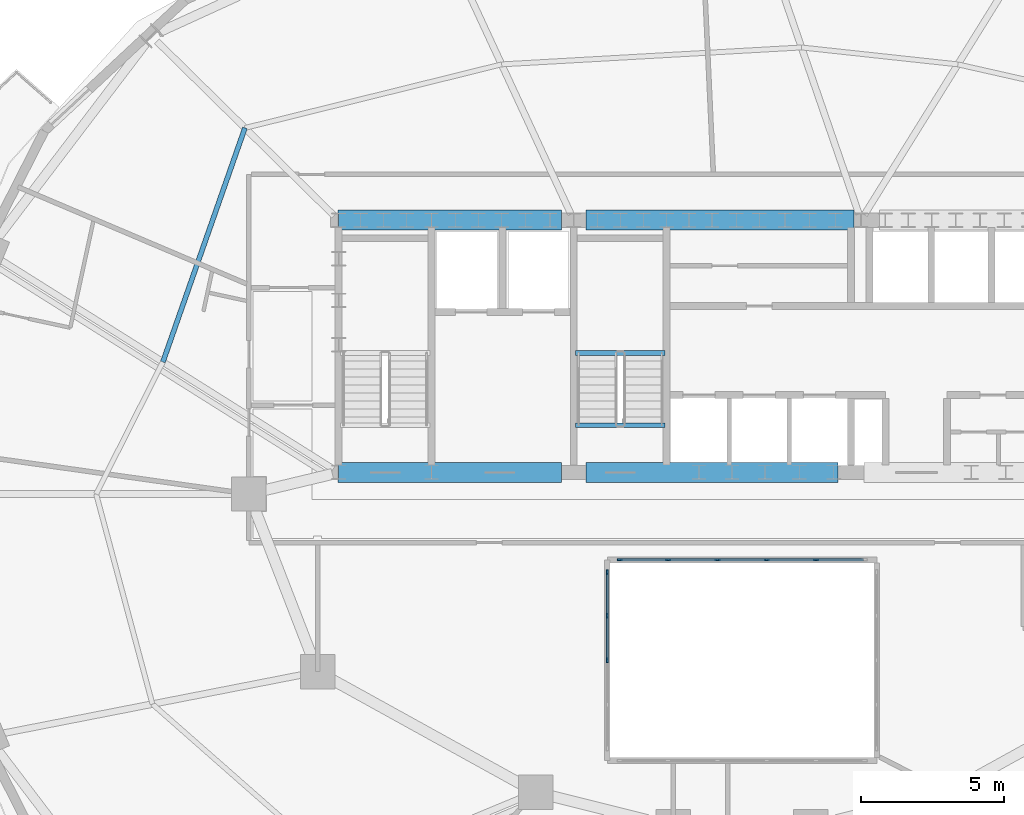
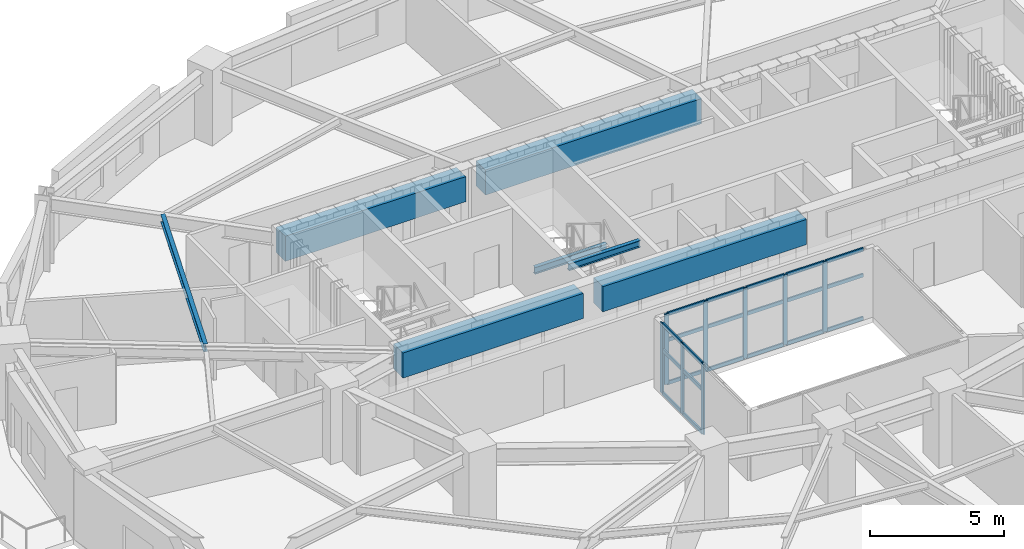
# One storey, part 3 of 13: 29 members, 7 beams, 2 elements without a shape of their own.
"""IFC4 building model written with IfcOpenShell, lengths in metres."""

import ifcopenshell
import ifcopenshell.guid

model = None  # the IFC model being written
_history = None  # IfcOwnerHistory: only IFC2X3 demands one
_inside = {}  # id of a spatial element -> (the spatial element, [elements in it])
_under = {}  # id of a project, library or spatial element -> (it, [spatial elements below it])
_declared = {}  # id of a project -> (the project, [libraries it declares])
_typed = {}  # id of a type object -> (the type object, [elements of that type])
_made_of = {}  # id of a material, layer set ... -> (it, [elements and type objects made of it])


def new_model(schema):
    """Start an empty IFC model of exactly this schema.

    Asked for "IFC4X3", IfcOpenShell would pick the latest addendum, in which some entities
    have other attributes; the version numbers below select the first issue.
    IFC2X3 requires an IfcOwnerHistory on every rooted entity: one is made here for all.
    """
    global model, _history
    if schema == "IFC4X3":
        model = ifcopenshell.file(schema_version=(4, 3, 0, 0))
    else:
        model = ifcopenshell.file(schema=schema)
    _inside.clear()
    _under.clear()
    _declared.clear()
    _typed.clear()
    _made_of.clear()
    _history = None
    if model.schema == "IFC2X3":
        org = make("IfcOrganization", Name="unknown")
        user = make(
            "IfcPersonAndOrganization",
            ThePerson=make("IfcPerson", FamilyName="unknown"),
            TheOrganization=org,
        )
        app = make(
            "IfcApplication",
            ApplicationDeveloper=org,
            Version="unknown",
            ApplicationFullName="unknown",
            ApplicationIdentifier="unknown",
        )
        _history = make(
            "IfcOwnerHistory",
            OwningUser=user,
            OwningApplication=app,
            ChangeAction="ADDED",
            CreationDate=0,
        )
    return model


def make(cls, **values):
    """One entity of the class cls with the attributes given. An attribute that is None is left unset."""
    return model.create_entity(
        cls, **{name: value for name, value in values.items() if value is not None}
    )


def rooted(cls, **values):
    """An entity with a GlobalId (a new one), such as an element, a storey or a relation."""
    return make(cls, GlobalId=ifcopenshell.guid.new(), OwnerHistory=_history, **values)


def si_unit(unit_type, name, prefix=None):
    """IfcSIUnit, for example si_unit("LENGTHUNIT", "METRE", prefix="MILLI")."""
    return make("IfcSIUnit", UnitType=unit_type, Prefix=prefix, Name=name)


def assignment(units):
    """IfcUnitAssignment: the units of a project."""
    return None if units is None else make("IfcUnitAssignment", Units=units)


def point(xyz):
    """IfcCartesianPoint."""
    return None if xyz is None else make("IfcCartesianPoint", Coordinates=xyz)


def direction(xyz):
    """IfcDirection."""
    return None if xyz is None else make("IfcDirection", DirectionRatios=xyz)


def frame(location, z_axis=None, x_axis=None):
    """IfcAxis2Placement3D, a coordinate frame: its origin and axes. An axis left out is left unset."""
    return make(
        "IfcAxis2Placement3D",
        Location=point(location),
        Axis=direction(z_axis),
        RefDirection=direction(x_axis),
    )


def frame_2d(location, x_axis=None):
    """IfcAxis2Placement2D, a coordinate frame in the plane: its origin and x axis."""
    return make(
        "IfcAxis2Placement2D", Location=point(location), RefDirection=direction(x_axis)
    )


def origin():
    """The frame at (0, 0, 0) with its axes left unset."""
    return frame((0.0, 0.0, 0.0))


def origin_2d():
    """The frame at (0, 0) in the plane with its x axis left unset."""
    return frame_2d((0.0, 0.0))


def place(relative_to, where):
    """IfcLocalPlacement: puts the frame where relative to a parent placement (None: the world)."""
    return make(
        "IfcLocalPlacement", PlacementRelTo=relative_to, RelativePlacement=where
    )


def context(
    kind, dimensions, precision=None, world=None, true_north=None, identifier=None
):
    """IfcGeometricRepresentationContext, for example the 3D "Model" context."""
    return make(
        "IfcGeometricRepresentationContext",
        ContextIdentifier=identifier,
        ContextType=kind,
        CoordinateSpaceDimension=dimensions,
        Precision=precision,
        WorldCoordinateSystem=world,
        TrueNorth=true_north,
    )


def subcontext(parent, identifier, kind, view, scale=None):
    """IfcGeometricRepresentationSubContext, for example "Body" below "Model"."""
    return make(
        "IfcGeometricRepresentationSubContext",
        ContextIdentifier=identifier,
        ContextType=kind,
        ParentContext=parent,
        TargetScale=scale,
        TargetView=view,
    )


def project(units=None, contexts=None):
    """IfcProject with its units and contexts."""
    return rooted(
        "IfcProject",
        Name="project",
        RepresentationContexts=contexts,
        UnitsInContext=assignment(units),
    )


def spatial(cls, under=None, at=None, **own):
    """A site, building, storey or space (cls), placed at a placement, below another one or the project."""
    s = rooted(cls, ObjectPlacement=at, **own)
    if under is not None:
        _under.setdefault(under.id(), (under, []))[1].append(s)
    return s


def profile(cls, at=None, kind="AREA", **sizes):
    """A parametric profile (cls). Its sizes go by their IFC names, for example OverallWidth=200.0."""
    return make(cls, ProfileType=kind, Position=at, **sizes)


def rectangle(**sizes):
    """IfcRectangleProfileDef."""
    return profile("IfcRectangleProfileDef", **sizes)


def i_section(**sizes):
    """IfcIShapeProfileDef."""
    return profile("IfcIShapeProfileDef", **sizes)


def extrude(swept, where, along, depth):
    """IfcExtrudedAreaSolid: the profile swept, set in the frame where, extruded along a direction by depth."""
    return make(
        "IfcExtrudedAreaSolid",
        SweptArea=swept,
        Position=where,
        ExtrudedDirection=direction(along),
        Depth=depth,
    )


def shape(context_of_items, identifier, shape_type, items):
    """IfcShapeRepresentation: the items that make up one representation, for example the "Body"."""
    return make(
        "IfcShapeRepresentation",
        ContextOfItems=context_of_items,
        RepresentationIdentifier=identifier,
        RepresentationType=shape_type,
        Items=items,
    )


def material(Name=None, Category=None):
    """IfcMaterial."""
    return make("IfcMaterial", Name=Name, Category=Category)


def material_profile(
    of_material, cross_section, Name=None, Category=None, Priority=None
):
    """IfcMaterialProfile: a cross section and its material."""
    return make(
        "IfcMaterialProfile",
        Name=Name,
        Material=of_material,
        Profile=cross_section,
        Priority=Priority,
        Category=Category,
    )


def profile_set(profiles, Name=None, composite=None):
    """IfcMaterialProfileSet."""
    return make(
        "IfcMaterialProfileSet",
        Name=Name,
        MaterialProfiles=profiles,
        CompositeProfile=composite,
    )


def made_of(thing, what):
    """Note that an element or type object is made of a material, layer set ...; save() writes the relation."""
    if what is not None:
        _made_of.setdefault(what.id(), (what, []))[1].append(thing)
    return thing


def type_object(cls, material=None, **own):
    """A type object (cls), such as IfcWallType, which elements share."""
    return made_of(rooted(cls, **own), material)


def element(
    cls,
    number,
    at=None,
    inside=None,
    cuts=None,
    type_object=None,
    material=None,
    context=None,
    identifier="Body",
    shape_type=None,
    held_by="IfcProductDefinitionShape",
    body=None,
    shapes=None,
    **own,
):
    """One element of the class cls, such as IfcWall. Its Tag is "e" and its number.

    at: its placement. inside: the storey or other place that contains it. cuts: it is an
    opening in that element (IfcRelVoidsElement). A single representation is given by context,
    identifier, shape_type and body (its items); several are given by shapes. held_by: the class
    of the entity that holds the representations. save() writes the other relations.
    """
    e = rooted(cls, Tag="e%d" % number, ObjectPlacement=at, **own)
    if body is not None:
        shapes = [shape(context, identifier, shape_type, body)]
    if shapes is not None:
        e.Representation = make(held_by, Representations=shapes)
    if inside is not None:
        _inside.setdefault(inside.id(), (inside, []))[1].append(e)
    if cuts is not None:
        rooted(
            "IfcRelVoidsElement", RelatingBuildingElement=cuts, RelatedOpeningElement=e
        )
    if type_object is not None:
        _typed.setdefault(type_object.id(), (type_object, []))[1].append(e)
    return made_of(e, material)


def aggregate(whole, parts):
    """IfcRelAggregates: a whole, such as a stair, and the parts it consists of."""
    return rooted("IfcRelAggregates", RelatingObject=whole, RelatedObjects=parts)


def save(model, path):
    """Write the relations noted so far, then the file.

    IfcRelAggregates (storeys below a building ...), IfcRelContainedInSpatialStructure (elements
    in a storey), IfcRelDefinesByType, IfcRelAssociatesMaterial and IfcRelDeclares: one each for
    every whole, place, type object, material and project.
    """
    for whole, parts in _under.values():
        aggregate(whole, parts)
    for where, things in _inside.values():
        rooted(
            "IfcRelContainedInSpatialStructure",
            RelatedElements=things,
            RelatingStructure=where,
        )
    for kind, things in _typed.values():
        rooted("IfcRelDefinesByType", RelatedObjects=things, RelatingType=kind)
    for what, things in _made_of.values():
        rooted("IfcRelAssociatesMaterial", RelatedObjects=things, RelatingMaterial=what)
    for by, libraries in _declared.values():
        rooted("IfcRelDeclares", RelatingContext=by, RelatedDefinitions=libraries)
    model.write(path)


model = new_model("IFC4")

# Units and contexts
model_context = context("Model", 3, precision=1e-05, world=origin(), true_north=direction((0.0, 1.0)))
body_context = subcontext(model_context, "Body", "Model", "MODEL_VIEW")
ifc_project = project(units=[si_unit("LENGTHUNIT", "METRE"), si_unit("AREAUNIT", "SQUARE_METRE"), si_unit("VOLUMEUNIT", "CUBIC_METRE"), si_unit("PLANEANGLEUNIT", "RADIAN"), si_unit("MASSUNIT", "GRAM", prefix="KILO")], contexts=[model_context])

# Site, building, storey
site_placement = place(None, origin())
site = spatial("IfcSite", under=ifc_project, at=site_placement, CompositionType="ELEMENT")
building_placement = place(site_placement, origin())
building = spatial("IfcBuilding", under=site, at=building_placement, Name="Haldorwick Loom Tower", CompositionType="ELEMENT")
storey_placement = place(building_placement, frame((0.0, 0.0, 124.25)))
storey = spatial("IfcBuildingStorey", under=building, at=storey_placement, Name="L33", CompositionType="ELEMENT", Elevation=124.25)

# Curtain wall, members
ifc_material_1 = material(Name="Thermally Broken Anodized Aluminium Curtain Wall Framing", Category="aluminium")
curtain_wall_type = type_object("IfcCurtainWallType", Name="ARC-CW-03", PredefinedType="NOTDEFINED", material=ifc_material_1)
curtain_wall_1_placement = place(storey_placement, origin())
curtain_wall_1 = element("IfcCurtainWall", 1, at=curtain_wall_1_placement, inside=storey, type_object=curtain_wall_type, Name="L33 Atrium Glazed Screen N", PredefinedType="NOTDEFINED")
ifc_material_profile_1 = material_profile(ifc_material_1, rectangle(XDim=0.06591796875, YDim=0.18505859375, at=origin_2d()), Name="ALU_MUL_66X185", Category="aluminium")
ifc_profile_set_1 = profile_set([ifc_material_profile_1], Name="Thermally Broken Anodized Aluminium Curtain Wall Framing")
member_type_1 = type_object("IfcMemberType", Name="ARC-CWM-03", PredefinedType="MULLION", material=ifc_profile_set_1)
member_1_placement = place(storey_placement, frame((31.73291015625, 23.699951171875, 0.0), z_axis=(0.0, 0.0, 1.0), x_axis=(0.0, 1.0, 0.0)))
member_1 = element("IfcMember", 2, at=member_1_placement, type_object=member_type_1, Name="CW-03 mullion 1", PredefinedType="MULLION", context=body_context, shape_type="SweptSolid", body=[
    extrude(rectangle(XDim=0.06591796875, YDim=0.18505859375, at=origin_2d()), origin(), (0.0, 0.0, 1.0), 3.2099609375),
])
member_2_placement = place(storey_placement, frame((33.419921875, 23.699951171875, 0.0), z_axis=(0.0, 0.0, 1.0), x_axis=(0.0, 1.0, 0.0)))
member_2 = element("IfcMember", 3, at=member_2_placement, type_object=member_type_1, Name="CW-03 mullion 2", PredefinedType="MULLION", context=body_context, shape_type="SweptSolid", body=[
    extrude(rectangle(XDim=0.06591796875, YDim=0.18505859375, at=origin_2d()), origin(), (0.0, 0.0, 1.0), 3.2099609375),
])
member_3_placement = place(storey_placement, frame((35.139892578125, 23.699951171875, 0.0), z_axis=(0.0, 0.0, 1.0), x_axis=(0.0, 1.0, 0.0)))
member_3 = element("IfcMember", 4, at=member_3_placement, type_object=member_type_1, Name="CW-03 mullion 3", PredefinedType="MULLION", context=body_context, shape_type="SweptSolid", body=[
    extrude(rectangle(XDim=0.06591796875, YDim=0.18505859375, at=origin_2d()), origin(), (0.0, 0.0, 1.0), 3.2099609375),
])
member_4_placement = place(storey_placement, frame((36.860107421875, 23.699951171875, 0.0), z_axis=(0.0, 0.0, 1.0), x_axis=(0.0, 1.0, 0.0)))
member_4 = element("IfcMember", 5, at=member_4_placement, type_object=member_type_1, Name="CW-03 mullion 4", PredefinedType="MULLION", context=body_context, shape_type="SweptSolid", body=[
    extrude(rectangle(XDim=0.06591796875, YDim=0.18505859375, at=origin_2d()), origin(), (0.0, 0.0, 1.0), 3.2099609375),
])
member_5_placement = place(storey_placement, frame((38.580078125, 23.699951171875, 0.0), z_axis=(0.0, 0.0, 1.0), x_axis=(0.0, 1.0, 0.0)))
member_5 = element("IfcMember", 6, at=member_5_placement, type_object=member_type_1, Name="CW-03 mullion 5", PredefinedType="MULLION", context=body_context, shape_type="SweptSolid", body=[
    extrude(rectangle(XDim=0.06591796875, YDim=0.18505859375, at=origin_2d()), origin(), (0.0, 0.0, 1.0), 3.2099609375),
])

curtain_wall_2_placement = place(storey_placement, origin())
curtain_wall_2 = element("IfcCurtainWall", 7, at=curtain_wall_2_placement, inside=storey, type_object=curtain_wall_type, Name="L33 Atrium Glazed Screen W", PredefinedType="NOTDEFINED")
member_6_placement = place(storey_placement, frame((31.300048828125, 20.199951171875, 0.0), z_axis=(0.0, 0.0, 1.0), x_axis=(-1.0, 0.0, 0.0)))
member_6 = element("IfcMember", 8, at=member_6_placement, type_object=member_type_1, Name="CW-03 mullion 3", PredefinedType="MULLION", context=body_context, shape_type="SweptSolid", body=[
    extrude(rectangle(XDim=0.06591796875, YDim=0.18505859375, at=origin_2d()), origin(), (0.0, 0.0, 1.0), 3.2099609375),
])
member_7_placement = place(storey_placement, frame((31.300048828125, 21.75, 0.0), z_axis=(0.0, 0.0, 1.0), x_axis=(-1.0, 0.0, 0.0)))
member_7 = element("IfcMember", 9, at=member_7_placement, type_object=member_type_1, Name="CW-03 mullion 4", PredefinedType="MULLION", context=body_context, shape_type="SweptSolid", body=[
    extrude(rectangle(XDim=0.06591796875, YDim=0.18505859375, at=origin_2d()), origin(), (0.0, 0.0, 1.0), 3.2099609375),
])
member_8_placement = place(storey_placement, frame((31.300048828125, 23.26708984375, 0.0), z_axis=(0.0, 0.0, 1.0), x_axis=(-1.0, 0.0, 0.0)))
member_8 = element("IfcMember", 10, at=member_8_placement, type_object=member_type_1, Name="CW-03 mullion 5", PredefinedType="MULLION", context=body_context, shape_type="SweptSolid", body=[
    extrude(rectangle(XDim=0.06591796875, YDim=0.18505859375, at=origin_2d()), origin(), (0.0, 0.0, 1.0), 3.2099609375),
])

# Member
ifc_material_profile_2 = material_profile(ifc_material_1, rectangle(XDim=0.06591796875, YDim=0.1650390625, at=origin_2d()), Name="ALU_TRN_66X165", Category="aluminium")
ifc_profile_set_2 = profile_set([ifc_material_profile_2], Name="Thermally Broken Anodized Aluminium Curtain Wall Framing")
member_type_2 = type_object("IfcMemberType", Name="ARC-CWT-03", PredefinedType="USERDEFINED", material=ifc_profile_set_2)
member_9_placement = place(storey_placement, frame((31.76611328125, 23.699951171875, 0.032958984375), z_axis=(1.0, 0.0, 0.0), x_axis=(0.0, 1.0, 0.0)))
member_9 = element("IfcMember", 11, at=member_9_placement, type_object=member_type_2, Name="CW-03 transom 1.1", ObjectType="TRANSOM", PredefinedType="USERDEFINED", context=body_context, shape_type="SweptSolid", body=[
    extrude(rectangle(XDim=0.06591796875, YDim=0.1650390625, at=origin_2d()), origin(), (0.0, 0.0, 1.0), 1.620849609375),
])

member_10_placement = place(storey_placement, frame((31.76611328125, 23.699951171875, 2.0), z_axis=(1.0, 0.0, 0.0), x_axis=(0.0, 1.0, 0.0)))
member_10 = element("IfcMember", 12, at=member_10_placement, type_object=member_type_2, Name="CW-03 transom 1.2", ObjectType="TRANSOM", PredefinedType="USERDEFINED", context=body_context, shape_type="SweptSolid", body=[
    extrude(rectangle(XDim=0.06591796875, YDim=0.1650390625, at=origin_2d()), origin(), (0.0, 0.0, 1.0), 1.620849609375),
])

member_11_placement = place(storey_placement, frame((31.76611328125, 23.699951171875, 3.177001953125), z_axis=(1.0, 0.0, 0.0), x_axis=(0.0, 1.0, 0.0)))
member_11 = element("IfcMember", 13, at=member_11_placement, type_object=member_type_2, Name="CW-03 transom 1.3", ObjectType="TRANSOM", PredefinedType="USERDEFINED", context=body_context, shape_type="SweptSolid", body=[
    extrude(rectangle(XDim=0.06591796875, YDim=0.1650390625, at=origin_2d()), origin(), (0.0, 0.0, 1.0), 1.620849609375),
])

member_12_placement = place(storey_placement, frame((33.452880859375, 23.699951171875, 0.032958984375), z_axis=(1.0, 0.0, 0.0), x_axis=(0.0, 1.0, 0.0)))
member_12 = element("IfcMember", 14, at=member_12_placement, type_object=member_type_2, Name="CW-03 transom 2.1", ObjectType="TRANSOM", PredefinedType="USERDEFINED", context=body_context, shape_type="SweptSolid", body=[
    extrude(rectangle(XDim=0.06591796875, YDim=0.1650390625, at=origin_2d()), origin(), (0.0, 0.0, 1.0), 1.654052734375),
])

member_13_placement = place(storey_placement, frame((33.452880859375, 23.699951171875, 2.0), z_axis=(1.0, 0.0, 0.0), x_axis=(0.0, 1.0, 0.0)))
member_13 = element("IfcMember", 15, at=member_13_placement, type_object=member_type_2, Name="CW-03 transom 2.2", ObjectType="TRANSOM", PredefinedType="USERDEFINED", context=body_context, shape_type="SweptSolid", body=[
    extrude(rectangle(XDim=0.06591796875, YDim=0.1650390625, at=origin_2d()), origin(), (0.0, 0.0, 1.0), 1.654052734375),
])

member_14_placement = place(storey_placement, frame((33.452880859375, 23.699951171875, 3.177001953125), z_axis=(1.0, 0.0, 0.0), x_axis=(0.0, 1.0, 0.0)))
member_14 = element("IfcMember", 16, at=member_14_placement, type_object=member_type_2, Name="CW-03 transom 2.3", ObjectType="TRANSOM", PredefinedType="USERDEFINED", context=body_context, shape_type="SweptSolid", body=[
    extrude(rectangle(XDim=0.06591796875, YDim=0.1650390625, at=origin_2d()), origin(), (0.0, 0.0, 1.0), 1.654052734375),
])

member_15_placement = place(storey_placement, frame((35.173095703125, 23.699951171875, 0.032958984375), z_axis=(1.0, 0.0, 0.0), x_axis=(0.0, 1.0, 0.0)))
member_15 = element("IfcMember", 17, at=member_15_placement, type_object=member_type_2, Name="CW-03 transom 3.1", ObjectType="TRANSOM", PredefinedType="USERDEFINED", context=body_context, shape_type="SweptSolid", body=[
    extrude(rectangle(XDim=0.06591796875, YDim=0.1650390625, at=origin_2d()), origin(), (0.0, 0.0, 1.0), 1.65380859375),
])

member_16_placement = place(storey_placement, frame((35.173095703125, 23.699951171875, 2.0), z_axis=(1.0, 0.0, 0.0), x_axis=(0.0, 1.0, 0.0)))
member_16 = element("IfcMember", 18, at=member_16_placement, type_object=member_type_2, Name="CW-03 transom 3.2", ObjectType="TRANSOM", PredefinedType="USERDEFINED", context=body_context, shape_type="SweptSolid", body=[
    extrude(rectangle(XDim=0.06591796875, YDim=0.1650390625, at=origin_2d()), origin(), (0.0, 0.0, 1.0), 1.65380859375),
])

member_17_placement = place(storey_placement, frame((35.173095703125, 23.699951171875, 3.177001953125), z_axis=(1.0, 0.0, 0.0), x_axis=(0.0, 1.0, 0.0)))
member_17 = element("IfcMember", 19, at=member_17_placement, type_object=member_type_2, Name="CW-03 transom 3.3", ObjectType="TRANSOM", PredefinedType="USERDEFINED", context=body_context, shape_type="SweptSolid", body=[
    extrude(rectangle(XDim=0.06591796875, YDim=0.1650390625, at=origin_2d()), origin(), (0.0, 0.0, 1.0), 1.65380859375),
])

member_18_placement = place(storey_placement, frame((36.89306640625, 23.699951171875, 0.032958984375), z_axis=(1.0, 0.0, 0.0), x_axis=(0.0, 1.0, 0.0)))
member_18 = element("IfcMember", 20, at=member_18_placement, type_object=member_type_2, Name="CW-03 transom 4.1", ObjectType="TRANSOM", PredefinedType="USERDEFINED", context=body_context, shape_type="SweptSolid", body=[
    extrude(rectangle(XDim=0.06591796875, YDim=0.1650390625, at=origin_2d()), origin(), (0.0, 0.0, 1.0), 1.654052734375),
])

member_19_placement = place(storey_placement, frame((36.89306640625, 23.699951171875, 2.0), z_axis=(1.0, 0.0, 0.0), x_axis=(0.0, 1.0, 0.0)))
member_19 = element("IfcMember", 21, at=member_19_placement, type_object=member_type_2, Name="CW-03 transom 4.2", ObjectType="TRANSOM", PredefinedType="USERDEFINED", context=body_context, shape_type="SweptSolid", body=[
    extrude(rectangle(XDim=0.06591796875, YDim=0.1650390625, at=origin_2d()), origin(), (0.0, 0.0, 1.0), 1.654052734375),
])

member_20_placement = place(storey_placement, frame((36.89306640625, 23.699951171875, 3.177001953125), z_axis=(1.0, 0.0, 0.0), x_axis=(0.0, 1.0, 0.0)))
member_20 = element("IfcMember", 22, at=member_20_placement, type_object=member_type_2, Name="CW-03 transom 4.3", ObjectType="TRANSOM", PredefinedType="USERDEFINED", context=body_context, shape_type="SweptSolid", body=[
    extrude(rectangle(XDim=0.06591796875, YDim=0.1650390625, at=origin_2d()), origin(), (0.0, 0.0, 1.0), 1.654052734375),
])

member_21_placement = place(storey_placement, frame((38.613037109375, 23.699951171875, 0.032958984375), z_axis=(1.0, 0.0, 0.0), x_axis=(0.0, 1.0, 0.0)))
member_21 = element("IfcMember", 23, at=member_21_placement, type_object=member_type_2, Name="CW-03 transom 5.1", ObjectType="TRANSOM", PredefinedType="USERDEFINED", context=body_context, shape_type="SweptSolid", body=[
    extrude(rectangle(XDim=0.06591796875, YDim=0.1650390625, at=origin_2d()), origin(), (0.0, 0.0, 1.0), 1.620849609375),
])

member_22_placement = place(storey_placement, frame((38.613037109375, 23.699951171875, 2.0), z_axis=(1.0, 0.0, 0.0), x_axis=(0.0, 1.0, 0.0)))
member_22 = element("IfcMember", 24, at=member_22_placement, type_object=member_type_2, Name="CW-03 transom 5.2", ObjectType="TRANSOM", PredefinedType="USERDEFINED", context=body_context, shape_type="SweptSolid", body=[
    extrude(rectangle(XDim=0.06591796875, YDim=0.1650390625, at=origin_2d()), origin(), (0.0, 0.0, 1.0), 1.620849609375),
])

member_23_placement = place(storey_placement, frame((38.613037109375, 23.699951171875, 3.177001953125), z_axis=(1.0, 0.0, 0.0), x_axis=(0.0, 1.0, 0.0)))
member_23 = element("IfcMember", 25, at=member_23_placement, type_object=member_type_2, Name="CW-03 transom 5.3", ObjectType="TRANSOM", PredefinedType="USERDEFINED", context=body_context, shape_type="SweptSolid", body=[
    extrude(rectangle(XDim=0.06591796875, YDim=0.1650390625, at=origin_2d()), origin(), (0.0, 0.0, 1.0), 1.620849609375),
])

aggregate(curtain_wall_1, [member_1, member_2, member_3, member_4, member_5, member_9, member_10, member_11, member_12, member_13, member_14, member_15, member_16, member_17, member_18, member_19, member_20, member_21, member_22, member_23])

member_24_placement = place(storey_placement, frame((31.300048828125, 20.23291015625, 0.032958984375), z_axis=(0.0, 1.0, 0.0), x_axis=(-1.0, 0.0, 0.0)))
member_24 = element("IfcMember", 26, at=member_24_placement, type_object=member_type_2, Name="CW-03 transom 3.1", ObjectType="TRANSOM", PredefinedType="USERDEFINED", context=body_context, shape_type="SweptSolid", body=[
    extrude(rectangle(XDim=0.06591796875, YDim=0.1650390625, at=origin_2d()), origin(), (0.0, 0.0, 1.0), 1.484130859375),
])

member_25_placement = place(storey_placement, frame((31.300048828125, 20.23291015625, 2.0), z_axis=(0.0, 1.0, 0.0), x_axis=(-1.0, 0.0, 0.0)))
member_25 = element("IfcMember", 27, at=member_25_placement, type_object=member_type_2, Name="CW-03 transom 3.2", ObjectType="TRANSOM", PredefinedType="USERDEFINED", context=body_context, shape_type="SweptSolid", body=[
    extrude(rectangle(XDim=0.06591796875, YDim=0.1650390625, at=origin_2d()), origin(), (0.0, 0.0, 1.0), 1.484130859375),
])

member_26_placement = place(storey_placement, frame((31.300048828125, 20.23291015625, 3.177001953125), z_axis=(0.0, 1.0, 0.0), x_axis=(-1.0, 0.0, 0.0)))
member_26 = element("IfcMember", 28, at=member_26_placement, type_object=member_type_2, Name="CW-03 transom 3.3", ObjectType="TRANSOM", PredefinedType="USERDEFINED", context=body_context, shape_type="SweptSolid", body=[
    extrude(rectangle(XDim=0.06591796875, YDim=0.1650390625, at=origin_2d()), origin(), (0.0, 0.0, 1.0), 1.484130859375),
])

member_27_placement = place(storey_placement, frame((31.300048828125, 21.782958984375, 0.032958984375), z_axis=(0.0, 1.0, 0.0), x_axis=(-1.0, 0.0, 0.0)))
member_27 = element("IfcMember", 29, at=member_27_placement, type_object=member_type_2, Name="CW-03 transom 4.1", ObjectType="TRANSOM", PredefinedType="USERDEFINED", context=body_context, shape_type="SweptSolid", body=[
    extrude(rectangle(XDim=0.06591796875, YDim=0.1650390625, at=origin_2d()), origin(), (0.0, 0.0, 1.0), 1.450927734375),
])

member_28_placement = place(storey_placement, frame((31.300048828125, 21.782958984375, 2.0), z_axis=(0.0, 1.0, 0.0), x_axis=(-1.0, 0.0, 0.0)))
member_28 = element("IfcMember", 30, at=member_28_placement, type_object=member_type_2, Name="CW-03 transom 4.2", ObjectType="TRANSOM", PredefinedType="USERDEFINED", context=body_context, shape_type="SweptSolid", body=[
    extrude(rectangle(XDim=0.06591796875, YDim=0.1650390625, at=origin_2d()), origin(), (0.0, 0.0, 1.0), 1.450927734375),
])

member_29_placement = place(storey_placement, frame((31.300048828125, 21.782958984375, 3.177001953125), z_axis=(0.0, 1.0, 0.0), x_axis=(-1.0, 0.0, 0.0)))
member_29 = element("IfcMember", 31, at=member_29_placement, type_object=member_type_2, Name="CW-03 transom 4.3", ObjectType="TRANSOM", PredefinedType="USERDEFINED", context=body_context, shape_type="SweptSolid", body=[
    extrude(rectangle(XDim=0.06591796875, YDim=0.1650390625, at=origin_2d()), origin(), (0.0, 0.0, 1.0), 1.450927734375),
])

aggregate(curtain_wall_2, [member_6, member_7, member_8, member_24, member_25, member_26, member_27, member_28, member_29])

# Beams
ifc_material_2 = material(Name="Concrete C60 (60 MPa)", Category="concrete")
ifc_material_profile_3 = material_profile(ifc_material_2, rectangle(XDim=0.699951171875, YDim=1.14990234375, at=origin_2d()), Name="RC700X1150", Category="concrete")
ifc_profile_set_3 = profile_set([ifc_material_profile_3], Name="Concrete C60 (60 MPa)")
beam_type_1 = type_object("IfcBeamType", Name="STR-BM-CB1150", PredefinedType="LINTEL", material=ifc_profile_set_3)
beam_1_placement = place(storey_placement, frame((21.89990234375, 35.550048828125, 2.635009765625), z_axis=(1.0, 0.0, 0.0), x_axis=(0.0, 1.0, 0.0)))
element("IfcBeam", 32, at=beam_1_placement, inside=storey, type_object=beam_type_1, Name="L33 Core Coupling Beam CB-N1", PredefinedType="LINTEL", context=body_context, shape_type="SweptSolid", body=[
    extrude(rectangle(XDim=0.699951171875, YDim=1.14990234375, at=origin_2d()), origin(), (0.0, 0.0, 1.0), 7.800048828125),
])
beam_2_placement = place(storey_placement, frame((30.550048828125, 35.550048828125, 2.635009765625), z_axis=(1.0, 0.0, 0.0), x_axis=(0.0, 1.0, 0.0)))
element("IfcBeam", 33, at=beam_2_placement, inside=storey, type_object=beam_type_1, Name="L33 Core Coupling Beam CB-N2", PredefinedType="LINTEL", context=body_context, shape_type="SweptSolid", body=[
    extrude(rectangle(XDim=0.699951171875, YDim=1.14990234375, at=origin_2d()), origin(), (0.0, 0.0, 1.0), 9.349853515625),
])
beam_3_placement = place(storey_placement, frame((21.89990234375, 26.75, 2.635009765625), z_axis=(1.0, 0.0, 0.0), x_axis=(0.0, 1.0, 0.0)))
element("IfcBeam", 34, at=beam_3_placement, inside=storey, type_object=beam_type_1, Name="L33 Core Coupling Beam CB-S1", PredefinedType="LINTEL", context=body_context, shape_type="SweptSolid", body=[
    extrude(rectangle(XDim=0.699951171875, YDim=1.14990234375, at=origin_2d()), origin(), (0.0, 0.0, 1.0), 7.800048828125),
])
beam_4_placement = place(storey_placement, frame((30.550048828125, 26.75, 2.635009765625), z_axis=(1.0, 0.0, 0.0), x_axis=(0.0, 1.0, 0.0)))
element("IfcBeam", 35, at=beam_4_placement, inside=storey, type_object=beam_type_1, Name="L33 Core Coupling Beam CB-S2", PredefinedType="LINTEL", context=body_context, shape_type="SweptSolid", body=[
    extrude(rectangle(XDim=0.699951171875, YDim=1.14990234375, at=origin_2d()), origin(), (0.0, 0.0, 1.0), 8.800048828125),
])
ifc_material_3 = material(Name="Steel CSA G40.21 350W", Category="steel")
ifc_material_profile_4 = material_profile(ifc_material_3, i_section(OverallWidth=0.172119140625, OverallDepth=0.35791015625, WebThickness=0.0078125, FlangeThickness=0.01318359375, at=origin_2d()), Name="W360X57", Category="steel")
ifc_profile_set_4 = profile_set([ifc_material_profile_4], Name="Steel CSA G40.21 350W")
beam_type_2 = type_object("IfcBeamType", Name="STR-BM-J360", PredefinedType="JOIST", material=ifc_profile_set_4)
beam_5_placement = place(storey_placement, frame((18.66162109375, 38.765869140625, 3.031005859375), z_axis=(-0.330864603503, -0.943678236556, 0.0), x_axis=(0.943678236556, -0.330864603503, 0.0)))
element("IfcBeam", 36, at=beam_5_placement, inside=storey, type_object=beam_type_2, Name="L33 Mid-Bay Secondary Joist 7", PredefinedType="JOIST", context=body_context, shape_type="SweptSolid", body=[
    extrude(i_section(OverallWidth=0.172119140625, OverallDepth=0.35791015625, WebThickness=0.0078125, FlangeThickness=0.01318359375, at=origin_2d()), origin(), (0.0, 0.0, 1.0), 8.6494140625),
])
ifc_material_profile_5 = material_profile(ifc_material_3, i_section(OverallWidth=0.166015625, OverallDepth=0.31298828125, WebThickness=0.006591796875, FlangeThickness=0.01123046875, at=origin_2d()), Name="W310X45", Category="steel")
ifc_profile_set_5 = profile_set([ifc_material_profile_5], Name="Steel CSA G40.21 350W")
beam_type_3 = type_object("IfcBeamType", Name="STR-BM-STRM", PredefinedType="BEAM", material=ifc_profile_set_5)
for number, where, z_axis, x_axis, name in (
    (37, (30.18994140625, 28.39990234375, 3.053466796875), (1.0, 0.0, 0.0), (0.0, 1.0, 0.0), "L33 Stair ST-03 Landing Edge Trimmer"),
    (38, (30.18994140625, 30.919921875, 1.368408203125), (1.0, 0.0, 0.0), (0.0, 1.0, 0.0), "L33 Stair ST-03 Half-Landing Trimmer 1"),
):
    element("IfcBeam", number, at=place(storey_placement, frame(where, z_axis=z_axis, x_axis=x_axis)), inside=storey, type_object=beam_type_3, Name=name, PredefinedType="BEAM", context=body_context, shape_type="SweptSolid", body=[
        extrude(i_section(OverallWidth=0.166015625, OverallDepth=0.31298828125, WebThickness=0.006591796875, FlangeThickness=0.01123046875, at=origin_2d()), origin(), (0.0, 0.0, 1.0), 3.1201171875),
    ])

save(model, "model.ifc")
